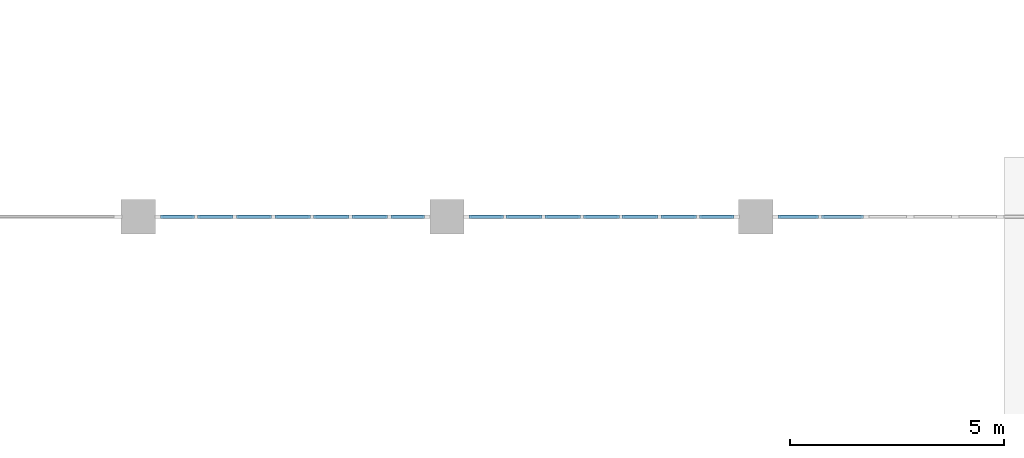
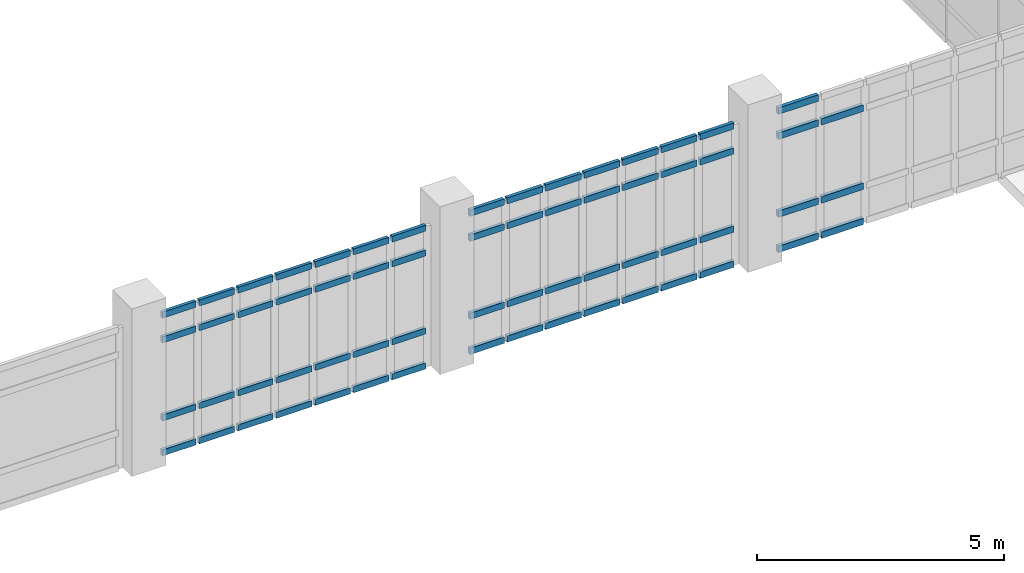
# One storey, part 26 of 62: 63 members, 3 elements without a shape of their own.
"""IFC4 building model written with IfcOpenShell, lengths in metres."""

from ifc_helpers import new_model, si_unit, direction, frame, origin, origin_2d, place, context, subcontext, project, spatial, rectangle, extrude, material, layer, layer_set, material_profile, profile_set, type_object, element, aggregate, save


model = new_model("IFC4")

# Units and contexts
model_context = context("Model", 3, precision=1e-05, world=origin(), true_north=direction((0.0, 1.0)))
body_context = subcontext(model_context, "Body", "Model", "MODEL_VIEW")
ifc_project = project(units=[si_unit("LENGTHUNIT", "METRE"), si_unit("AREAUNIT", "SQUARE_METRE"), si_unit("VOLUMEUNIT", "CUBIC_METRE"), si_unit("PLANEANGLEUNIT", "RADIAN"), si_unit("MASSUNIT", "GRAM", prefix="KILO")], contexts=[model_context])

# Site, building, storey
site_placement = place(None, origin())
site = spatial("IfcSite", under=ifc_project, at=site_placement, CompositionType="ELEMENT")
building_placement = place(site_placement, origin())
building = spatial("IfcBuilding", under=site, at=building_placement, Name="Kavelor Marine Aquarium", CompositionType="ELEMENT")
storey_placement = place(building_placement, frame((0.0, 0.0, 13.5)))
storey = spatial("IfcBuildingStorey", under=building, at=storey_placement, Name="L03", CompositionType="ELEMENT", Elevation=13.5)

# Curtain wall, members
ifc_material_1 = material(Name="Thermally Broken Aluminium and Low-E Glass", Category="aluminium")
ifc_layer_1 = layer(ifc_material_1, 0.14794921875)
ifc_layer_set_1 = layer_set([ifc_layer_1], Name="CW-SYS1")
curtain_wall_type_1 = type_object("IfcCurtainWallType", Name="CW-SYS1", PredefinedType="USERDEFINED", material=ifc_layer_set_1)
curtain_wall_1_placement = place(storey_placement, origin())
curtain_wall_1 = element("IfcCurtainWall", 1, at=curtain_wall_1_placement, inside=storey, type_object=curtain_wall_type_1, Name="cw:x:L03:02_03", ObjectType="Curtain Wall", PredefinedType="USERDEFINED")
ifc_material_2 = material(Name="Anodised Aluminium Alloy 6063-T6", Category="aluminium")
ifc_material_profile_1 = material_profile(ifc_material_2, rectangle(XDim=0.074951171875, YDim=0.14990234375, at=origin_2d()), Name="CW-TRN 75x150")
ifc_profile_set_1 = profile_set([ifc_material_profile_1], Name="Anodised Aluminium Alloy 6063-T6")
member_type_1 = type_object("IfcMemberType", Name="CWT-1", PredefinedType="USERDEFINED", material=ifc_profile_set_1)
member_1_placement = place(storey_placement, frame((24.280029296875, 24.39990234375, 0.03759765625), z_axis=(-1.0, 0.0, 0.0), x_axis=(0.0, -1.0, 0.0)))
member_1 = element("IfcMember", 2, at=member_1_placement, type_object=member_type_1, Name="CW01 transom 1.1", ObjectType="TRANSOM", PredefinedType="USERDEFINED", context=body_context, shape_type="SweptSolid", body=[
    extrude(rectangle(XDim=0.074951171875, YDim=0.14990234375, at=origin_2d()), origin(), (0.0, 0.0, 1.0), 0.7890625),
])
member_2_placement = place(storey_placement, frame((24.280029296875, 24.39990234375, 0.89990234375), z_axis=(-1.0, 0.0, 0.0), x_axis=(0.0, -1.0, 0.0)))
member_2 = element("IfcMember", 3, at=member_2_placement, type_object=member_type_1, Name="CW01 transom 1.2", ObjectType="TRANSOM", PredefinedType="USERDEFINED", context=body_context, shape_type="SweptSolid", body=[
    extrude(rectangle(XDim=0.074951171875, YDim=0.14990234375, at=origin_2d()), origin(), (0.0, 0.0, 1.0), 0.7890625),
])
member_3_placement = place(storey_placement, frame((24.280029296875, 24.39990234375, 2.830078125), z_axis=(-1.0, 0.0, 0.0), x_axis=(0.0, -1.0, 0.0)))
member_3 = element("IfcMember", 4, at=member_3_placement, type_object=member_type_1, Name="CW01 transom 1.3", ObjectType="TRANSOM", PredefinedType="USERDEFINED", context=body_context, shape_type="SweptSolid", body=[
    extrude(rectangle(XDim=0.074951171875, YDim=0.14990234375, at=origin_2d()), origin(), (0.0, 0.0, 1.0), 0.7890625),
])
member_4_placement = place(storey_placement, frame((24.280029296875, 24.39990234375, 3.4423828125), z_axis=(-1.0, 0.0, 0.0), x_axis=(0.0, -1.0, 0.0)))
member_4 = element("IfcMember", 5, at=member_4_placement, type_object=member_type_1, Name="CW01 transom 1.4", ObjectType="TRANSOM", PredefinedType="USERDEFINED", context=body_context, shape_type="SweptSolid", body=[
    extrude(rectangle(XDim=0.074951171875, YDim=0.14990234375, at=origin_2d()), origin(), (0.0, 0.0, 1.0), 0.7890625),
])
member_5_placement = place(storey_placement, frame((23.416015625, 24.39990234375, 0.03759765625), z_axis=(-1.0, 0.0, 0.0), x_axis=(0.0, -1.0, 0.0)))
member_5 = element("IfcMember", 6, at=member_5_placement, type_object=member_type_1, Name="CW01 transom 2.1", ObjectType="TRANSOM", PredefinedType="USERDEFINED", context=body_context, shape_type="SweptSolid", body=[
    extrude(rectangle(XDim=0.074951171875, YDim=0.14990234375, at=origin_2d()), origin(), (0.0, 0.0, 1.0), 0.826416015625),
])
member_6_placement = place(storey_placement, frame((23.416015625, 24.39990234375, 0.89990234375), z_axis=(-1.0, 0.0, 0.0), x_axis=(0.0, -1.0, 0.0)))
member_6 = element("IfcMember", 7, at=member_6_placement, type_object=member_type_1, Name="CW01 transom 2.2", ObjectType="TRANSOM", PredefinedType="USERDEFINED", context=body_context, shape_type="SweptSolid", body=[
    extrude(rectangle(XDim=0.074951171875, YDim=0.14990234375, at=origin_2d()), origin(), (0.0, 0.0, 1.0), 0.826416015625),
])
member_7_placement = place(storey_placement, frame((23.416015625, 24.39990234375, 2.830078125), z_axis=(-1.0, 0.0, 0.0), x_axis=(0.0, -1.0, 0.0)))
member_7 = element("IfcMember", 8, at=member_7_placement, type_object=member_type_1, Name="CW01 transom 2.3", ObjectType="TRANSOM", PredefinedType="USERDEFINED", context=body_context, shape_type="SweptSolid", body=[
    extrude(rectangle(XDim=0.074951171875, YDim=0.14990234375, at=origin_2d()), origin(), (0.0, 0.0, 1.0), 0.826416015625),
])
member_8_placement = place(storey_placement, frame((23.416015625, 24.39990234375, 3.4423828125), z_axis=(-1.0, 0.0, 0.0), x_axis=(0.0, -1.0, 0.0)))
member_8 = element("IfcMember", 9, at=member_8_placement, type_object=member_type_1, Name="CW01 transom 2.4", ObjectType="TRANSOM", PredefinedType="USERDEFINED", context=body_context, shape_type="SweptSolid", body=[
    extrude(rectangle(XDim=0.074951171875, YDim=0.14990234375, at=origin_2d()), origin(), (0.0, 0.0, 1.0), 0.826416015625),
])
member_9_placement = place(storey_placement, frame((22.5146484375, 24.39990234375, 0.03759765625), z_axis=(-1.0, 0.0, 0.0), x_axis=(0.0, -1.0, 0.0)))
member_9 = element("IfcMember", 10, at=member_9_placement, type_object=member_type_1, Name="CW01 transom 3.1", ObjectType="TRANSOM", PredefinedType="USERDEFINED", context=body_context, shape_type="SweptSolid", body=[
    extrude(rectangle(XDim=0.074951171875, YDim=0.14990234375, at=origin_2d()), origin(), (0.0, 0.0, 1.0), 0.826416015625),
])
member_10_placement = place(storey_placement, frame((22.5146484375, 24.39990234375, 0.89990234375), z_axis=(-1.0, 0.0, 0.0), x_axis=(0.0, -1.0, 0.0)))
member_10 = element("IfcMember", 11, at=member_10_placement, type_object=member_type_1, Name="CW01 transom 3.2", ObjectType="TRANSOM", PredefinedType="USERDEFINED", context=body_context, shape_type="SweptSolid", body=[
    extrude(rectangle(XDim=0.074951171875, YDim=0.14990234375, at=origin_2d()), origin(), (0.0, 0.0, 1.0), 0.826416015625),
])
member_11_placement = place(storey_placement, frame((22.5146484375, 24.39990234375, 2.830078125), z_axis=(-1.0, 0.0, 0.0), x_axis=(0.0, -1.0, 0.0)))
member_11 = element("IfcMember", 12, at=member_11_placement, type_object=member_type_1, Name="CW01 transom 3.3", ObjectType="TRANSOM", PredefinedType="USERDEFINED", context=body_context, shape_type="SweptSolid", body=[
    extrude(rectangle(XDim=0.074951171875, YDim=0.14990234375, at=origin_2d()), origin(), (0.0, 0.0, 1.0), 0.826416015625),
])
member_12_placement = place(storey_placement, frame((22.5146484375, 24.39990234375, 3.4423828125), z_axis=(-1.0, 0.0, 0.0), x_axis=(0.0, -1.0, 0.0)))
member_12 = element("IfcMember", 13, at=member_12_placement, type_object=member_type_1, Name="CW01 transom 3.4", ObjectType="TRANSOM", PredefinedType="USERDEFINED", context=body_context, shape_type="SweptSolid", body=[
    extrude(rectangle(XDim=0.074951171875, YDim=0.14990234375, at=origin_2d()), origin(), (0.0, 0.0, 1.0), 0.826416015625),
])
member_13_placement = place(storey_placement, frame((21.61328125, 24.39990234375, 0.03759765625), z_axis=(-1.0, 0.0, 0.0), x_axis=(0.0, -1.0, 0.0)))
member_13 = element("IfcMember", 14, at=member_13_placement, type_object=member_type_1, Name="CW01 transom 4.1", ObjectType="TRANSOM", PredefinedType="USERDEFINED", context=body_context, shape_type="SweptSolid", body=[
    extrude(rectangle(XDim=0.074951171875, YDim=0.14990234375, at=origin_2d()), origin(), (0.0, 0.0, 1.0), 0.826416015625),
])
member_14_placement = place(storey_placement, frame((21.61328125, 24.39990234375, 0.89990234375), z_axis=(-1.0, 0.0, 0.0), x_axis=(0.0, -1.0, 0.0)))
member_14 = element("IfcMember", 15, at=member_14_placement, type_object=member_type_1, Name="CW01 transom 4.2", ObjectType="TRANSOM", PredefinedType="USERDEFINED", context=body_context, shape_type="SweptSolid", body=[
    extrude(rectangle(XDim=0.074951171875, YDim=0.14990234375, at=origin_2d()), origin(), (0.0, 0.0, 1.0), 0.826416015625),
])
member_15_placement = place(storey_placement, frame((21.61328125, 24.39990234375, 2.830078125), z_axis=(-1.0, 0.0, 0.0), x_axis=(0.0, -1.0, 0.0)))
member_15 = element("IfcMember", 16, at=member_15_placement, type_object=member_type_1, Name="CW01 transom 4.3", ObjectType="TRANSOM", PredefinedType="USERDEFINED", context=body_context, shape_type="SweptSolid", body=[
    extrude(rectangle(XDim=0.074951171875, YDim=0.14990234375, at=origin_2d()), origin(), (0.0, 0.0, 1.0), 0.826416015625),
])
member_16_placement = place(storey_placement, frame((21.61328125, 24.39990234375, 3.4423828125), z_axis=(-1.0, 0.0, 0.0), x_axis=(0.0, -1.0, 0.0)))
member_16 = element("IfcMember", 17, at=member_16_placement, type_object=member_type_1, Name="CW01 transom 4.4", ObjectType="TRANSOM", PredefinedType="USERDEFINED", context=body_context, shape_type="SweptSolid", body=[
    extrude(rectangle(XDim=0.074951171875, YDim=0.14990234375, at=origin_2d()), origin(), (0.0, 0.0, 1.0), 0.826416015625),
])
member_17_placement = place(storey_placement, frame((20.711669921875, 24.39990234375, 0.03759765625), z_axis=(-1.0, 0.0, 0.0), x_axis=(0.0, -1.0, 0.0)))
member_17 = element("IfcMember", 18, at=member_17_placement, type_object=member_type_1, Name="CW01 transom 5.1", ObjectType="TRANSOM", PredefinedType="USERDEFINED", context=body_context, shape_type="SweptSolid", body=[
    extrude(rectangle(XDim=0.074951171875, YDim=0.14990234375, at=origin_2d()), origin(), (0.0, 0.0, 1.0), 0.826416015625),
])
member_18_placement = place(storey_placement, frame((20.711669921875, 24.39990234375, 0.89990234375), z_axis=(-1.0, 0.0, 0.0), x_axis=(0.0, -1.0, 0.0)))
member_18 = element("IfcMember", 19, at=member_18_placement, type_object=member_type_1, Name="CW01 transom 5.2", ObjectType="TRANSOM", PredefinedType="USERDEFINED", context=body_context, shape_type="SweptSolid", body=[
    extrude(rectangle(XDim=0.074951171875, YDim=0.14990234375, at=origin_2d()), origin(), (0.0, 0.0, 1.0), 0.826416015625),
])
member_19_placement = place(storey_placement, frame((20.711669921875, 24.39990234375, 2.830078125), z_axis=(-1.0, 0.0, 0.0), x_axis=(0.0, -1.0, 0.0)))
member_19 = element("IfcMember", 20, at=member_19_placement, type_object=member_type_1, Name="CW01 transom 5.3", ObjectType="TRANSOM", PredefinedType="USERDEFINED", context=body_context, shape_type="SweptSolid", body=[
    extrude(rectangle(XDim=0.074951171875, YDim=0.14990234375, at=origin_2d()), origin(), (0.0, 0.0, 1.0), 0.826416015625),
])
member_20_placement = place(storey_placement, frame((20.711669921875, 24.39990234375, 3.4423828125), z_axis=(-1.0, 0.0, 0.0), x_axis=(0.0, -1.0, 0.0)))
member_20 = element("IfcMember", 21, at=member_20_placement, type_object=member_type_1, Name="CW01 transom 5.4", ObjectType="TRANSOM", PredefinedType="USERDEFINED", context=body_context, shape_type="SweptSolid", body=[
    extrude(rectangle(XDim=0.074951171875, YDim=0.14990234375, at=origin_2d()), origin(), (0.0, 0.0, 1.0), 0.826416015625),
])
member_21_placement = place(storey_placement, frame((19.810302734375, 24.39990234375, 0.03759765625), z_axis=(-1.0, 0.0, 0.0), x_axis=(0.0, -1.0, 0.0)))
member_21 = element("IfcMember", 22, at=member_21_placement, type_object=member_type_1, Name="CW01 transom 6.1", ObjectType="TRANSOM", PredefinedType="USERDEFINED", context=body_context, shape_type="SweptSolid", body=[
    extrude(rectangle(XDim=0.074951171875, YDim=0.14990234375, at=origin_2d()), origin(), (0.0, 0.0, 1.0), 0.826416015625),
])
member_22_placement = place(storey_placement, frame((19.810302734375, 24.39990234375, 0.89990234375), z_axis=(-1.0, 0.0, 0.0), x_axis=(0.0, -1.0, 0.0)))
member_22 = element("IfcMember", 23, at=member_22_placement, type_object=member_type_1, Name="CW01 transom 6.2", ObjectType="TRANSOM", PredefinedType="USERDEFINED", context=body_context, shape_type="SweptSolid", body=[
    extrude(rectangle(XDim=0.074951171875, YDim=0.14990234375, at=origin_2d()), origin(), (0.0, 0.0, 1.0), 0.826416015625),
])
member_23_placement = place(storey_placement, frame((19.810302734375, 24.39990234375, 2.830078125), z_axis=(-1.0, 0.0, 0.0), x_axis=(0.0, -1.0, 0.0)))
member_23 = element("IfcMember", 24, at=member_23_placement, type_object=member_type_1, Name="CW01 transom 6.3", ObjectType="TRANSOM", PredefinedType="USERDEFINED", context=body_context, shape_type="SweptSolid", body=[
    extrude(rectangle(XDim=0.074951171875, YDim=0.14990234375, at=origin_2d()), origin(), (0.0, 0.0, 1.0), 0.826416015625),
])
member_24_placement = place(storey_placement, frame((19.810302734375, 24.39990234375, 3.4423828125), z_axis=(-1.0, 0.0, 0.0), x_axis=(0.0, -1.0, 0.0)))
member_24 = element("IfcMember", 25, at=member_24_placement, type_object=member_type_1, Name="CW01 transom 6.4", ObjectType="TRANSOM", PredefinedType="USERDEFINED", context=body_context, shape_type="SweptSolid", body=[
    extrude(rectangle(XDim=0.074951171875, YDim=0.14990234375, at=origin_2d()), origin(), (0.0, 0.0, 1.0), 0.826416015625),
])
member_25_placement = place(storey_placement, frame((18.908935546875, 24.39990234375, 0.03759765625), z_axis=(-1.0, 0.0, 0.0), x_axis=(0.0, -1.0, 0.0)))
member_25 = element("IfcMember", 26, at=member_25_placement, type_object=member_type_1, Name="CW01 transom 7.1", ObjectType="TRANSOM", PredefinedType="USERDEFINED", context=body_context, shape_type="SweptSolid", body=[
    extrude(rectangle(XDim=0.074951171875, YDim=0.14990234375, at=origin_2d()), origin(), (0.0, 0.0, 1.0), 0.788818359375),
])
member_26_placement = place(storey_placement, frame((18.908935546875, 24.39990234375, 0.89990234375), z_axis=(-1.0, 0.0, 0.0), x_axis=(0.0, -1.0, 0.0)))
member_26 = element("IfcMember", 27, at=member_26_placement, type_object=member_type_1, Name="CW01 transom 7.2", ObjectType="TRANSOM", PredefinedType="USERDEFINED", context=body_context, shape_type="SweptSolid", body=[
    extrude(rectangle(XDim=0.074951171875, YDim=0.14990234375, at=origin_2d()), origin(), (0.0, 0.0, 1.0), 0.788818359375),
])
member_27_placement = place(storey_placement, frame((18.908935546875, 24.39990234375, 2.830078125), z_axis=(-1.0, 0.0, 0.0), x_axis=(0.0, -1.0, 0.0)))
member_27 = element("IfcMember", 28, at=member_27_placement, type_object=member_type_1, Name="CW01 transom 7.3", ObjectType="TRANSOM", PredefinedType="USERDEFINED", context=body_context, shape_type="SweptSolid", body=[
    extrude(rectangle(XDim=0.074951171875, YDim=0.14990234375, at=origin_2d()), origin(), (0.0, 0.0, 1.0), 0.788818359375),
])
member_28_placement = place(storey_placement, frame((18.908935546875, 24.39990234375, 3.4423828125), z_axis=(-1.0, 0.0, 0.0), x_axis=(0.0, -1.0, 0.0)))
member_28 = element("IfcMember", 29, at=member_28_placement, type_object=member_type_1, Name="CW01 transom 7.4", ObjectType="TRANSOM", PredefinedType="USERDEFINED", context=body_context, shape_type="SweptSolid", body=[
    extrude(rectangle(XDim=0.074951171875, YDim=0.14990234375, at=origin_2d()), origin(), (0.0, 0.0, 1.0), 0.788818359375),
])
aggregate(curtain_wall_1, [member_1, member_2, member_3, member_4, member_5, member_6, member_7, member_8, member_9, member_10, member_11, member_12, member_13, member_14, member_15, member_16, member_17, member_18, member_19, member_20, member_21, member_22, member_23, member_24, member_25, member_26, member_27, member_28])

ifc_material_3 = material(Name="Thermally Broken Aluminium and Low-E Glass", Category="aluminium")
ifc_layer_2 = layer(ifc_material_3, 0.156005859375)
ifc_layer_set_2 = layer_set([ifc_layer_2], Name="CW-SYS2")
curtain_wall_type_2 = type_object("IfcCurtainWallType", Name="CW-SYS2", PredefinedType="USERDEFINED", material=ifc_layer_set_2)
curtain_wall_2_placement = place(storey_placement, origin())
curtain_wall_2 = element("IfcCurtainWall", 30, at=curtain_wall_2_placement, inside=storey, type_object=curtain_wall_type_2, Name="cw:x:L03:03_03", ObjectType="Curtain Wall", PredefinedType="USERDEFINED")
ifc_material_4 = material(Name="Anodised Aluminium Alloy 6063-T6", Category="aluminium")
ifc_material_profile_2 = material_profile(ifc_material_4, rectangle(XDim=0.080078125, YDim=0.155029296875, at=origin_2d()), Name="CW-TRN 80x155")
ifc_profile_set_2 = profile_set([ifc_material_profile_2], Name="Anodised Aluminium Alloy 6063-T6")
member_type_2 = type_object("IfcMemberType", Name="CWT-2", PredefinedType="USERDEFINED", material=ifc_profile_set_2)
member_29_placement = place(storey_placement, frame((31.489990234375, 24.39990234375, 0.032470703125), z_axis=(-1.0, 0.0, 0.0), x_axis=(0.0, -1.0, 0.0)))
member_29 = element("IfcMember", 31, at=member_29_placement, type_object=member_type_2, Name="CW02 transom 1.1", ObjectType="TRANSOM", PredefinedType="USERDEFINED", context=body_context, shape_type="SweptSolid", body=[
    extrude(rectangle(XDim=0.080078125, YDim=0.155029296875, at=origin_2d()), origin(), (0.0, 0.0, 1.0), 0.803955078125),
])
member_30_placement = place(storey_placement, frame((31.489990234375, 24.39990234375, 0.89990234375), z_axis=(-1.0, 0.0, 0.0), x_axis=(0.0, -1.0, 0.0)))
member_30 = element("IfcMember", 32, at=member_30_placement, type_object=member_type_2, Name="CW02 transom 1.2", ObjectType="TRANSOM", PredefinedType="USERDEFINED", context=body_context, shape_type="SweptSolid", body=[
    extrude(rectangle(XDim=0.080078125, YDim=0.155029296875, at=origin_2d()), origin(), (0.0, 0.0, 1.0), 0.803955078125),
])
member_31_placement = place(storey_placement, frame((31.489990234375, 24.39990234375, 2.830078125), z_axis=(-1.0, 0.0, 0.0), x_axis=(0.0, -1.0, 0.0)))
member_31 = element("IfcMember", 33, at=member_31_placement, type_object=member_type_2, Name="CW02 transom 1.3", ObjectType="TRANSOM", PredefinedType="USERDEFINED", context=body_context, shape_type="SweptSolid", body=[
    extrude(rectangle(XDim=0.080078125, YDim=0.155029296875, at=origin_2d()), origin(), (0.0, 0.0, 1.0), 0.803955078125),
])
member_32_placement = place(storey_placement, frame((31.489990234375, 24.39990234375, 3.447509765625), z_axis=(-1.0, 0.0, 0.0), x_axis=(0.0, -1.0, 0.0)))
member_32 = element("IfcMember", 34, at=member_32_placement, type_object=member_type_2, Name="CW02 transom 1.4", ObjectType="TRANSOM", PredefinedType="USERDEFINED", context=body_context, shape_type="SweptSolid", body=[
    extrude(rectangle(XDim=0.080078125, YDim=0.155029296875, at=origin_2d()), origin(), (0.0, 0.0, 1.0), 0.803955078125),
])
member_33_placement = place(storey_placement, frame((30.62109375, 24.39990234375, 0.032470703125), z_axis=(-1.0, 0.0, 0.0), x_axis=(0.0, -1.0, 0.0)))
member_33 = element("IfcMember", 35, at=member_33_placement, type_object=member_type_2, Name="CW02 transom 2.1", ObjectType="TRANSOM", PredefinedType="USERDEFINED", context=body_context, shape_type="SweptSolid", body=[
    extrude(rectangle(XDim=0.080078125, YDim=0.155029296875, at=origin_2d()), origin(), (0.0, 0.0, 1.0), 0.83642578125),
])
member_34_placement = place(storey_placement, frame((30.62109375, 24.39990234375, 0.89990234375), z_axis=(-1.0, 0.0, 0.0), x_axis=(0.0, -1.0, 0.0)))
member_34 = element("IfcMember", 36, at=member_34_placement, type_object=member_type_2, Name="CW02 transom 2.2", ObjectType="TRANSOM", PredefinedType="USERDEFINED", context=body_context, shape_type="SweptSolid", body=[
    extrude(rectangle(XDim=0.080078125, YDim=0.155029296875, at=origin_2d()), origin(), (0.0, 0.0, 1.0), 0.83642578125),
])
member_35_placement = place(storey_placement, frame((30.62109375, 24.39990234375, 2.830078125), z_axis=(-1.0, 0.0, 0.0), x_axis=(0.0, -1.0, 0.0)))
member_35 = element("IfcMember", 37, at=member_35_placement, type_object=member_type_2, Name="CW02 transom 2.3", ObjectType="TRANSOM", PredefinedType="USERDEFINED", context=body_context, shape_type="SweptSolid", body=[
    extrude(rectangle(XDim=0.080078125, YDim=0.155029296875, at=origin_2d()), origin(), (0.0, 0.0, 1.0), 0.83642578125),
])
member_36_placement = place(storey_placement, frame((30.62109375, 24.39990234375, 3.447509765625), z_axis=(-1.0, 0.0, 0.0), x_axis=(0.0, -1.0, 0.0)))
member_36 = element("IfcMember", 38, at=member_36_placement, type_object=member_type_2, Name="CW02 transom 2.4", ObjectType="TRANSOM", PredefinedType="USERDEFINED", context=body_context, shape_type="SweptSolid", body=[
    extrude(rectangle(XDim=0.080078125, YDim=0.155029296875, at=origin_2d()), origin(), (0.0, 0.0, 1.0), 0.83642578125),
])
member_37_placement = place(storey_placement, frame((29.7197265625, 24.39990234375, 0.032470703125), z_axis=(-1.0, 0.0, 0.0), x_axis=(0.0, -1.0, 0.0)))
member_37 = element("IfcMember", 39, at=member_37_placement, type_object=member_type_2, Name="CW02 transom 3.1", ObjectType="TRANSOM", PredefinedType="USERDEFINED", context=body_context, shape_type="SweptSolid", body=[
    extrude(rectangle(XDim=0.080078125, YDim=0.155029296875, at=origin_2d()), origin(), (0.0, 0.0, 1.0), 0.83642578125),
])
member_38_placement = place(storey_placement, frame((29.7197265625, 24.39990234375, 0.89990234375), z_axis=(-1.0, 0.0, 0.0), x_axis=(0.0, -1.0, 0.0)))
member_38 = element("IfcMember", 40, at=member_38_placement, type_object=member_type_2, Name="CW02 transom 3.2", ObjectType="TRANSOM", PredefinedType="USERDEFINED", context=body_context, shape_type="SweptSolid", body=[
    extrude(rectangle(XDim=0.080078125, YDim=0.155029296875, at=origin_2d()), origin(), (0.0, 0.0, 1.0), 0.83642578125),
])
member_39_placement = place(storey_placement, frame((29.7197265625, 24.39990234375, 2.830078125), z_axis=(-1.0, 0.0, 0.0), x_axis=(0.0, -1.0, 0.0)))
member_39 = element("IfcMember", 41, at=member_39_placement, type_object=member_type_2, Name="CW02 transom 3.3", ObjectType="TRANSOM", PredefinedType="USERDEFINED", context=body_context, shape_type="SweptSolid", body=[
    extrude(rectangle(XDim=0.080078125, YDim=0.155029296875, at=origin_2d()), origin(), (0.0, 0.0, 1.0), 0.83642578125),
])
member_40_placement = place(storey_placement, frame((29.7197265625, 24.39990234375, 3.447509765625), z_axis=(-1.0, 0.0, 0.0), x_axis=(0.0, -1.0, 0.0)))
member_40 = element("IfcMember", 42, at=member_40_placement, type_object=member_type_2, Name="CW02 transom 3.4", ObjectType="TRANSOM", PredefinedType="USERDEFINED", context=body_context, shape_type="SweptSolid", body=[
    extrude(rectangle(XDim=0.080078125, YDim=0.155029296875, at=origin_2d()), origin(), (0.0, 0.0, 1.0), 0.83642578125),
])
member_41_placement = place(storey_placement, frame((28.818115234375, 24.39990234375, 0.032470703125), z_axis=(-1.0, 0.0, 0.0), x_axis=(0.0, -1.0, 0.0)))
member_41 = element("IfcMember", 43, at=member_41_placement, type_object=member_type_2, Name="CW02 transom 4.1", ObjectType="TRANSOM", PredefinedType="USERDEFINED", context=body_context, shape_type="SweptSolid", body=[
    extrude(rectangle(XDim=0.080078125, YDim=0.155029296875, at=origin_2d()), origin(), (0.0, 0.0, 1.0), 0.83642578125),
])
member_42_placement = place(storey_placement, frame((28.818115234375, 24.39990234375, 0.89990234375), z_axis=(-1.0, 0.0, 0.0), x_axis=(0.0, -1.0, 0.0)))
member_42 = element("IfcMember", 44, at=member_42_placement, type_object=member_type_2, Name="CW02 transom 4.2", ObjectType="TRANSOM", PredefinedType="USERDEFINED", context=body_context, shape_type="SweptSolid", body=[
    extrude(rectangle(XDim=0.080078125, YDim=0.155029296875, at=origin_2d()), origin(), (0.0, 0.0, 1.0), 0.83642578125),
])
member_43_placement = place(storey_placement, frame((28.818115234375, 24.39990234375, 2.830078125), z_axis=(-1.0, 0.0, 0.0), x_axis=(0.0, -1.0, 0.0)))
member_43 = element("IfcMember", 45, at=member_43_placement, type_object=member_type_2, Name="CW02 transom 4.3", ObjectType="TRANSOM", PredefinedType="USERDEFINED", context=body_context, shape_type="SweptSolid", body=[
    extrude(rectangle(XDim=0.080078125, YDim=0.155029296875, at=origin_2d()), origin(), (0.0, 0.0, 1.0), 0.83642578125),
])
member_44_placement = place(storey_placement, frame((28.818115234375, 24.39990234375, 3.447509765625), z_axis=(-1.0, 0.0, 0.0), x_axis=(0.0, -1.0, 0.0)))
member_44 = element("IfcMember", 46, at=member_44_placement, type_object=member_type_2, Name="CW02 transom 4.4", ObjectType="TRANSOM", PredefinedType="USERDEFINED", context=body_context, shape_type="SweptSolid", body=[
    extrude(rectangle(XDim=0.080078125, YDim=0.155029296875, at=origin_2d()), origin(), (0.0, 0.0, 1.0), 0.83642578125),
])
member_45_placement = place(storey_placement, frame((27.916748046875, 24.39990234375, 0.032470703125), z_axis=(-1.0, 0.0, 0.0), x_axis=(0.0, -1.0, 0.0)))
member_45 = element("IfcMember", 47, at=member_45_placement, type_object=member_type_2, Name="CW02 transom 5.1", ObjectType="TRANSOM", PredefinedType="USERDEFINED", context=body_context, shape_type="SweptSolid", body=[
    extrude(rectangle(XDim=0.080078125, YDim=0.155029296875, at=origin_2d()), origin(), (0.0, 0.0, 1.0), 0.83642578125),
])
member_46_placement = place(storey_placement, frame((27.916748046875, 24.39990234375, 0.89990234375), z_axis=(-1.0, 0.0, 0.0), x_axis=(0.0, -1.0, 0.0)))
member_46 = element("IfcMember", 48, at=member_46_placement, type_object=member_type_2, Name="CW02 transom 5.2", ObjectType="TRANSOM", PredefinedType="USERDEFINED", context=body_context, shape_type="SweptSolid", body=[
    extrude(rectangle(XDim=0.080078125, YDim=0.155029296875, at=origin_2d()), origin(), (0.0, 0.0, 1.0), 0.83642578125),
])
member_47_placement = place(storey_placement, frame((27.916748046875, 24.39990234375, 2.830078125), z_axis=(-1.0, 0.0, 0.0), x_axis=(0.0, -1.0, 0.0)))
member_47 = element("IfcMember", 49, at=member_47_placement, type_object=member_type_2, Name="CW02 transom 5.3", ObjectType="TRANSOM", PredefinedType="USERDEFINED", context=body_context, shape_type="SweptSolid", body=[
    extrude(rectangle(XDim=0.080078125, YDim=0.155029296875, at=origin_2d()), origin(), (0.0, 0.0, 1.0), 0.83642578125),
])
member_48_placement = place(storey_placement, frame((27.916748046875, 24.39990234375, 3.447509765625), z_axis=(-1.0, 0.0, 0.0), x_axis=(0.0, -1.0, 0.0)))
member_48 = element("IfcMember", 50, at=member_48_placement, type_object=member_type_2, Name="CW02 transom 5.4", ObjectType="TRANSOM", PredefinedType="USERDEFINED", context=body_context, shape_type="SweptSolid", body=[
    extrude(rectangle(XDim=0.080078125, YDim=0.155029296875, at=origin_2d()), origin(), (0.0, 0.0, 1.0), 0.83642578125),
])
member_49_placement = place(storey_placement, frame((27.015380859375, 24.39990234375, 0.032470703125), z_axis=(-1.0, 0.0, 0.0), x_axis=(0.0, -1.0, 0.0)))
member_49 = element("IfcMember", 51, at=member_49_placement, type_object=member_type_2, Name="CW02 transom 6.1", ObjectType="TRANSOM", PredefinedType="USERDEFINED", context=body_context, shape_type="SweptSolid", body=[
    extrude(rectangle(XDim=0.080078125, YDim=0.155029296875, at=origin_2d()), origin(), (0.0, 0.0, 1.0), 0.83642578125),
])
member_50_placement = place(storey_placement, frame((27.015380859375, 24.39990234375, 0.89990234375), z_axis=(-1.0, 0.0, 0.0), x_axis=(0.0, -1.0, 0.0)))
member_50 = element("IfcMember", 52, at=member_50_placement, type_object=member_type_2, Name="CW02 transom 6.2", ObjectType="TRANSOM", PredefinedType="USERDEFINED", context=body_context, shape_type="SweptSolid", body=[
    extrude(rectangle(XDim=0.080078125, YDim=0.155029296875, at=origin_2d()), origin(), (0.0, 0.0, 1.0), 0.83642578125),
])
member_51_placement = place(storey_placement, frame((27.015380859375, 24.39990234375, 2.830078125), z_axis=(-1.0, 0.0, 0.0), x_axis=(0.0, -1.0, 0.0)))
member_51 = element("IfcMember", 53, at=member_51_placement, type_object=member_type_2, Name="CW02 transom 6.3", ObjectType="TRANSOM", PredefinedType="USERDEFINED", context=body_context, shape_type="SweptSolid", body=[
    extrude(rectangle(XDim=0.080078125, YDim=0.155029296875, at=origin_2d()), origin(), (0.0, 0.0, 1.0), 0.83642578125),
])
member_52_placement = place(storey_placement, frame((27.015380859375, 24.39990234375, 3.447509765625), z_axis=(-1.0, 0.0, 0.0), x_axis=(0.0, -1.0, 0.0)))
member_52 = element("IfcMember", 54, at=member_52_placement, type_object=member_type_2, Name="CW02 transom 6.4", ObjectType="TRANSOM", PredefinedType="USERDEFINED", context=body_context, shape_type="SweptSolid", body=[
    extrude(rectangle(XDim=0.080078125, YDim=0.155029296875, at=origin_2d()), origin(), (0.0, 0.0, 1.0), 0.83642578125),
])
member_53_placement = place(storey_placement, frame((26.114013671875, 24.39990234375, 0.032470703125), z_axis=(-1.0, 0.0, 0.0), x_axis=(0.0, -1.0, 0.0)))
member_53 = element("IfcMember", 55, at=member_53_placement, type_object=member_type_2, Name="CW02 transom 7.1", ObjectType="TRANSOM", PredefinedType="USERDEFINED", context=body_context, shape_type="SweptSolid", body=[
    extrude(rectangle(XDim=0.080078125, YDim=0.155029296875, at=origin_2d()), origin(), (0.0, 0.0, 1.0), 0.803955078125),
])
member_54_placement = place(storey_placement, frame((26.114013671875, 24.39990234375, 0.89990234375), z_axis=(-1.0, 0.0, 0.0), x_axis=(0.0, -1.0, 0.0)))
member_54 = element("IfcMember", 56, at=member_54_placement, type_object=member_type_2, Name="CW02 transom 7.2", ObjectType="TRANSOM", PredefinedType="USERDEFINED", context=body_context, shape_type="SweptSolid", body=[
    extrude(rectangle(XDim=0.080078125, YDim=0.155029296875, at=origin_2d()), origin(), (0.0, 0.0, 1.0), 0.803955078125),
])
member_55_placement = place(storey_placement, frame((26.114013671875, 24.39990234375, 2.830078125), z_axis=(-1.0, 0.0, 0.0), x_axis=(0.0, -1.0, 0.0)))
member_55 = element("IfcMember", 57, at=member_55_placement, type_object=member_type_2, Name="CW02 transom 7.3", ObjectType="TRANSOM", PredefinedType="USERDEFINED", context=body_context, shape_type="SweptSolid", body=[
    extrude(rectangle(XDim=0.080078125, YDim=0.155029296875, at=origin_2d()), origin(), (0.0, 0.0, 1.0), 0.803955078125),
])
member_56_placement = place(storey_placement, frame((26.114013671875, 24.39990234375, 3.447509765625), z_axis=(-1.0, 0.0, 0.0), x_axis=(0.0, -1.0, 0.0)))
member_56 = element("IfcMember", 58, at=member_56_placement, type_object=member_type_2, Name="CW02 transom 7.4", ObjectType="TRANSOM", PredefinedType="USERDEFINED", context=body_context, shape_type="SweptSolid", body=[
    extrude(rectangle(XDim=0.080078125, YDim=0.155029296875, at=origin_2d()), origin(), (0.0, 0.0, 1.0), 0.803955078125),
])
aggregate(curtain_wall_2, [member_29, member_30, member_31, member_32, member_33, member_34, member_35, member_36, member_37, member_38, member_39, member_40, member_41, member_42, member_43, member_44, member_45, member_46, member_47, member_48, member_49, member_50, member_51, member_52, member_53, member_54, member_55, member_56])

ifc_material_5 = material(Name="Thermally Broken Aluminium and Low-E Glass", Category="aluminium")
ifc_layer_3 = layer(ifc_material_5, 0.172119140625)
ifc_layer_set_3 = layer_set([ifc_layer_3], Name="CW-SYS4")
curtain_wall_type_3 = type_object("IfcCurtainWallType", Name="CW-SYS4", PredefinedType="USERDEFINED", material=ifc_layer_set_3)
curtain_wall_3_placement = place(storey_placement, origin())
curtain_wall_3 = element("IfcCurtainWall", 59, at=curtain_wall_3_placement, inside=storey, type_object=curtain_wall_type_3, Name="cw:x:L03:04_03", ObjectType="Curtain Wall", PredefinedType="USERDEFINED")
ifc_material_6 = material(Name="Anodised Aluminium Alloy 6063-T6", Category="aluminium")
ifc_material_profile_3 = material_profile(ifc_material_6, rectangle(XDim=0.0849609375, YDim=0.159912109375, at=origin_2d()), Name="CW-TRN 85x160")
ifc_profile_set_3 = profile_set([ifc_material_profile_3], Name="Anodised Aluminium Alloy 6063-T6")
member_type_3 = type_object("IfcMemberType", Name="CWT-3", PredefinedType="USERDEFINED", material=ifc_profile_set_3)
member_57_placement = place(storey_placement, frame((34.5107421875, 24.39990234375, 0.030029296875), z_axis=(-1.0, 0.0, 0.0), x_axis=(0.0, -1.0, 0.0)))
member_57 = element("IfcMember", 60, at=member_57_placement, type_object=member_type_3, Name="CW04 transom 5.1", ObjectType="TRANSOM", PredefinedType="USERDEFINED", context=body_context, shape_type="SweptSolid", body=[
    extrude(rectangle(XDim=0.0849609375, YDim=0.159912109375, at=origin_2d()), origin(), (0.0, 0.0, 1.0), 0.9765625),
])
member_58_placement = place(storey_placement, frame((34.5107421875, 24.39990234375, 0.89990234375), z_axis=(-1.0, 0.0, 0.0), x_axis=(0.0, -1.0, 0.0)))
member_58 = element("IfcMember", 61, at=member_58_placement, type_object=member_type_3, Name="CW04 transom 5.2", ObjectType="TRANSOM", PredefinedType="USERDEFINED", context=body_context, shape_type="SweptSolid", body=[
    extrude(rectangle(XDim=0.0849609375, YDim=0.159912109375, at=origin_2d()), origin(), (0.0, 0.0, 1.0), 0.9765625),
])
member_59_placement = place(storey_placement, frame((34.5107421875, 24.39990234375, 2.830078125), z_axis=(-1.0, 0.0, 0.0), x_axis=(0.0, -1.0, 0.0)))
member_59 = element("IfcMember", 62, at=member_59_placement, type_object=member_type_3, Name="CW04 transom 5.3", ObjectType="TRANSOM", PredefinedType="USERDEFINED", context=body_context, shape_type="SweptSolid", body=[
    extrude(rectangle(XDim=0.0849609375, YDim=0.159912109375, at=origin_2d()), origin(), (0.0, 0.0, 1.0), 0.9765625),
])
member_60_placement = place(storey_placement, frame((33.459228515625, 24.39990234375, 0.030029296875), z_axis=(-1.0, 0.0, 0.0), x_axis=(0.0, -1.0, 0.0)))
member_60 = element("IfcMember", 63, at=member_60_placement, type_object=member_type_3, Name="CW04 transom 6.1", ObjectType="TRANSOM", PredefinedType="USERDEFINED", context=body_context, shape_type="SweptSolid", body=[
    extrude(rectangle(XDim=0.0849609375, YDim=0.159912109375, at=origin_2d()), origin(), (0.0, 0.0, 1.0), 0.939208984375),
])
member_61_placement = place(storey_placement, frame((33.459228515625, 24.39990234375, 0.89990234375), z_axis=(-1.0, 0.0, 0.0), x_axis=(0.0, -1.0, 0.0)))
member_61 = element("IfcMember", 64, at=member_61_placement, type_object=member_type_3, Name="CW04 transom 6.2", ObjectType="TRANSOM", PredefinedType="USERDEFINED", context=body_context, shape_type="SweptSolid", body=[
    extrude(rectangle(XDim=0.0849609375, YDim=0.159912109375, at=origin_2d()), origin(), (0.0, 0.0, 1.0), 0.939208984375),
])
member_62_placement = place(storey_placement, frame((33.459228515625, 24.39990234375, 2.830078125), z_axis=(-1.0, 0.0, 0.0), x_axis=(0.0, -1.0, 0.0)))
member_62 = element("IfcMember", 65, at=member_62_placement, type_object=member_type_3, Name="CW04 transom 6.3", ObjectType="TRANSOM", PredefinedType="USERDEFINED", context=body_context, shape_type="SweptSolid", body=[
    extrude(rectangle(XDim=0.0849609375, YDim=0.159912109375, at=origin_2d()), origin(), (0.0, 0.0, 1.0), 0.939208984375),
])
member_63_placement = place(storey_placement, frame((33.459228515625, 24.39990234375, 3.449951171875), z_axis=(-1.0, 0.0, 0.0), x_axis=(0.0, -1.0, 0.0)))
member_63 = element("IfcMember", 66, at=member_63_placement, type_object=member_type_3, Name="CW04 transom 6.4", ObjectType="TRANSOM", PredefinedType="USERDEFINED", context=body_context, shape_type="SweptSolid", body=[
    extrude(rectangle(XDim=0.0849609375, YDim=0.159912109375, at=origin_2d()), origin(), (0.0, 0.0, 1.0), 0.939208984375),
])
aggregate(curtain_wall_3, [member_57, member_58, member_59, member_60, member_61, member_62, member_63])

save(model, "model.ifc")
